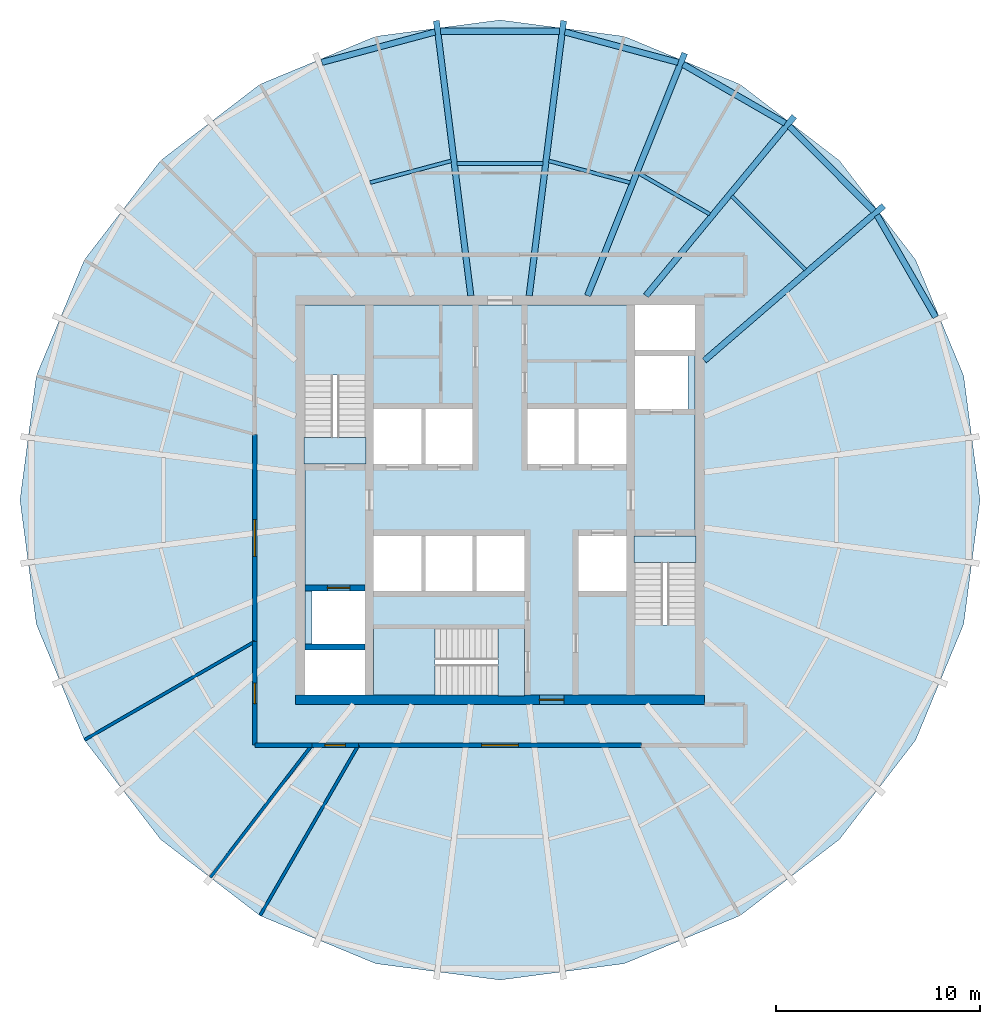
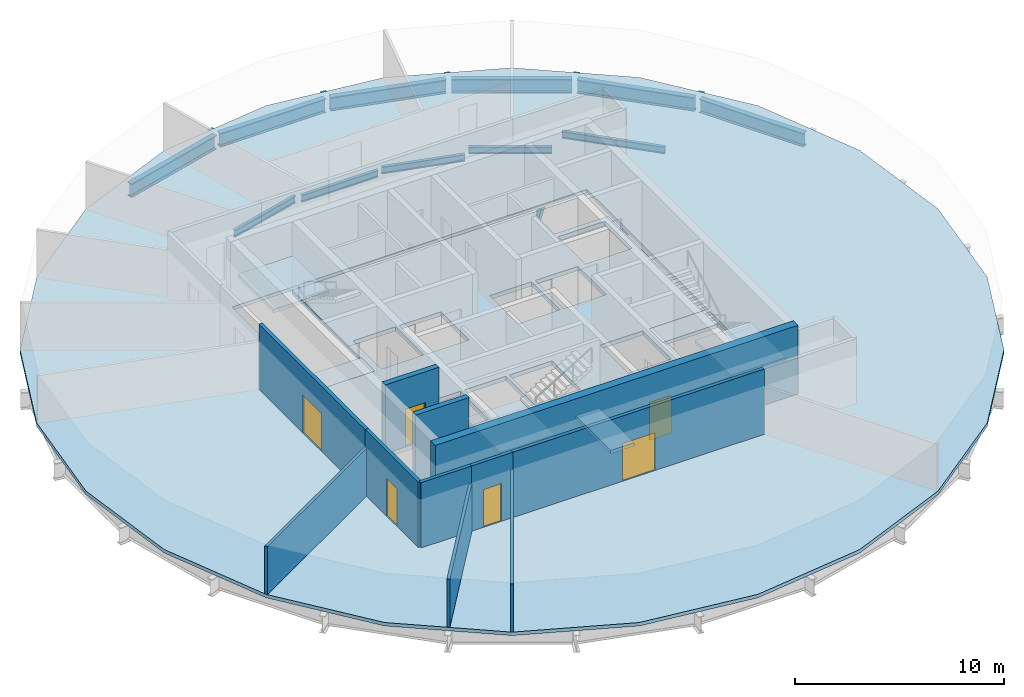
# One storey, part 2 of 5: 16 beams, 11 walls, 8 slabs, 6 doors, 6 openings, 3 elements without a shape of their own.
"""IFC4 building model written with IfcOpenShell, lengths in metres."""

from ifc_helpers import new_model, si_unit, direction, frame, frame_2d, origin, origin_2d, place, context, subcontext, project, spatial, polyline, rectangle, i_section, outline, extrude, material, layer, layer_set, material_profile, profile_set, type_object, element, fill, aggregate, save


model = new_model("IFC4")

# Units and contexts
model_context = context("Model", 3, precision=1e-05, world=origin(), true_north=direction((0.0, 1.0)))
body_context = subcontext(model_context, "Body", "Model", "MODEL_VIEW")
ifc_project = project(units=[si_unit("LENGTHUNIT", "METRE"), si_unit("AREAUNIT", "SQUARE_METRE"), si_unit("VOLUMEUNIT", "CUBIC_METRE"), si_unit("PLANEANGLEUNIT", "RADIAN"), si_unit("MASSUNIT", "GRAM", prefix="KILO")], contexts=[model_context])

# Site, building, storey
site_placement = place(None, origin())
site = spatial("IfcSite", under=ifc_project, at=site_placement, CompositionType="ELEMENT")
building_placement = place(site_placement, origin())
building = spatial("IfcBuilding", under=site, at=building_placement, Name="Golbaran Civic Tower", CompositionType="ELEMENT")
storey_placement = place(building_placement, frame((0.0, 0.0, 207.0)))
storey = spatial("IfcBuildingStorey", under=building, at=storey_placement, Name="L50", CompositionType="ELEMENT", Elevation=207.0)

# Beams
ifc_material_1 = material(Name="Steel S355", Category="steel")
ifc_material_profile_1 = material_profile(ifc_material_1, i_section(OverallWidth=0.300048828125, OverallDepth=0.800048828125, WebThickness=0.017578125, FlangeThickness=0.032958984375, FilletRadius=0.030029296875, at=origin_2d()), Name="HEB 800")
ifc_profile_set_1 = profile_set([ifc_material_profile_1], Name="Steel S355")
beam_type_1 = type_object("IfcBeamType", Name="EDGE BEAM HEB 800", PredefinedType="BEAM", material=ifc_profile_set_1)
beam_1_placement = place(storey_placement, frame((21.317626953125, 8.94580078125, -0.60009765625), z_axis=(-0.498780145808, 0.866728542363, 0.0), x_axis=(-0.866728542363, -0.498780145808, 0.0)))
element("IfcBeam", 1, at=beam_1_placement, inside=storey, type_object=beam_type_1, Name="Edge beam 22.45 L50", PredefinedType="BEAM", context=body_context, shape_type="SweptSolid", body=[
    extrude(i_section(OverallWidth=0.300048828125, OverallDepth=0.800048828125, WebThickness=0.017578125, FlangeThickness=0.032958984375, FilletRadius=0.030029296875, at=origin_2d()), origin(), (0.0, 0.0, 1.0), 5.7587890625),
])
beam_2_placement = place(storey_placement, frame((18.287109375, 14.143798828125, -0.60009765625), z_axis=(-0.706772115547, 0.707441288507, 0.0), x_axis=(-0.707441288507, -0.706772115547, 0.0)))
element("IfcBeam", 2, at=beam_2_placement, inside=storey, type_object=beam_type_1, Name="Edge beam 37.55 L50", PredefinedType="BEAM", context=body_context, shape_type="SweptSolid", body=[
    extrude(i_section(OverallWidth=0.300048828125, OverallDepth=0.800048828125, WebThickness=0.017578125, FlangeThickness=0.032958984375, FilletRadius=0.030029296875, at=origin_2d()), origin(), (0.0, 0.0, 1.0), 5.83740234375),
])
beam_3_placement = place(storey_placement, frame((13.954833984375, 18.431884765625, -0.60009765625), z_axis=(-0.866332159636, 0.499468306482, 0.0), x_axis=(-0.499468306482, -0.866332159636, 0.0)))
element("IfcBeam", 3, at=beam_3_placement, inside=storey, type_object=beam_type_1, Name="Edge beam 52.45 L50", PredefinedType="BEAM", context=body_context, shape_type="SweptSolid", body=[
    extrude(i_section(OverallWidth=0.300048828125, OverallDepth=0.800048828125, WebThickness=0.017578125, FlangeThickness=0.032958984375, FilletRadius=0.030029296875, at=origin_2d()), origin(), (0.0, 0.0, 1.0), 5.766357421875),
])
beam_4_placement = place(storey_placement, frame((8.718994140625, 21.41162109375, -0.60009765625), z_axis=(-0.965815835324, 0.259229188629, 0.0), x_axis=(-0.259229188629, -0.965815835324, 0.0)))
element("IfcBeam", 4, at=beam_4_placement, inside=storey, type_object=beam_type_1, Name="Edge beam 67.55 L50", PredefinedType="BEAM", context=body_context, shape_type="SweptSolid", body=[
    extrude(i_section(OverallWidth=0.300048828125, OverallDepth=0.800048828125, WebThickness=0.017578125, FlangeThickness=0.032958984375, FilletRadius=0.030029296875, at=origin_2d()), origin(), (0.0, 0.0, 1.0), 5.7412109375),
])
beam_5_placement = place(storey_placement, frame((2.91650390625, 22.933837890625, -0.60009765625), z_axis=(-1.0, 0.0, 0.0), x_axis=(0.0, -1.0, 0.0)))
element("IfcBeam", 5, at=beam_5_placement, inside=storey, type_object=beam_type_1, Name="Edge beam 82.45 L50", PredefinedType="BEAM", context=body_context, shape_type="SweptSolid", body=[
    extrude(i_section(OverallWidth=0.300048828125, OverallDepth=0.800048828125, WebThickness=0.017578125, FlangeThickness=0.032958984375, FilletRadius=0.030029296875, at=origin_2d()), origin(), (0.0, 0.0, 1.0), 5.8330078125),
])
beam_6_placement = place(storey_placement, frame((-3.174072265625, 22.89990234375, -0.60009765625), z_axis=(-0.965815835324, -0.259229188629, 0.0), x_axis=(0.259229188629, -0.965815835324, 0.0)))
element("IfcBeam", 6, at=beam_6_placement, inside=storey, type_object=beam_type_1, Name="Edge beam 97.55 L50", PredefinedType="BEAM", context=body_context, shape_type="SweptSolid", body=[
    extrude(i_section(OverallWidth=0.300048828125, OverallDepth=0.800048828125, WebThickness=0.017578125, FlangeThickness=0.032958984375, FilletRadius=0.030029296875, at=origin_2d()), origin(), (0.0, 0.0, 1.0), 5.7412109375),
])
ifc_material_profile_2 = material_profile(ifc_material_1, i_section(OverallWidth=0.179931640625, OverallDepth=0.39990234375, WebThickness=0.008544921875, FlangeThickness=0.013427734375, FilletRadius=0.02099609375, at=origin_2d()), Name="IPE 400")
ifc_profile_set_2 = profile_set([ifc_material_profile_2], Name="Steel S355")
beam_type_2 = type_object("IfcBeamType", Name="FLOOR INFILL BEAM IPE 400", PredefinedType="BEAM", material=ifc_profile_set_2)
beam_7_placement = place(storey_placement, frame((14.951171875, 11.265380859375, -0.39990234375), z_axis=(-0.707106781187, 0.707106781187, 0.0), x_axis=(-0.707106781187, -0.707106781187, 0.0)))
element("IfcBeam", 7, at=beam_7_placement, inside=storey, type_object=beam_type_2, Name="Infill beam 45.00 L50", PredefinedType="BEAM", context=body_context, shape_type="SweptSolid", body=[
    extrude(i_section(OverallWidth=0.179931640625, OverallDepth=0.39990234375, WebThickness=0.008544921875, FlangeThickness=0.013427734375, FilletRadius=0.02099609375, at=origin_2d()), origin(), (0.0, 0.0, 1.0), 5.099853515625),
])
beam_8_placement = place(storey_placement, frame((10.269775390625, 13.980712890625, -0.39990234375), z_axis=(-0.86602842894, 0.499994760241, 0.0), x_axis=(-0.499994760241, -0.86602842894, 0.0)))
element("IfcBeam", 8, at=beam_8_placement, inside=storey, type_object=beam_type_2, Name="Infill beam 60.00 L50", PredefinedType="BEAM", context=body_context, shape_type="SweptSolid", body=[
    extrude(i_section(OverallWidth=0.179931640625, OverallDepth=0.39990234375, WebThickness=0.008544921875, FlangeThickness=0.013427734375, FilletRadius=0.02099609375, at=origin_2d()), origin(), (0.0, 0.0, 1.0), 3.98388671875),
])
beam_9_placement = place(storey_placement, frame((6.361572265625, 15.529052734375, -0.39990234375), z_axis=(-0.965931110693, 0.258799322634, 0.0), x_axis=(-0.258799322634, -0.965931110693, 0.0)))
element("IfcBeam", 9, at=beam_9_placement, inside=storey, type_object=beam_type_2, Name="Infill beam 75.00 L50", PredefinedType="BEAM", context=body_context, shape_type="SweptSolid", body=[
    extrude(i_section(OverallWidth=0.179931640625, OverallDepth=0.39990234375, WebThickness=0.008544921875, FlangeThickness=0.013427734375, FilletRadius=0.02099609375, at=origin_2d()), origin(), (0.0, 0.0, 1.0), 4.11669921875),
])
beam_10_placement = place(storey_placement, frame((2.10693359375, 16.466796875, -0.39990234375), z_axis=(-1.0, 0.0, 0.0), x_axis=(0.0, -1.0, 0.0)))
element("IfcBeam", 10, at=beam_10_placement, inside=storey, type_object=beam_type_2, Name="Infill beam 90.00 L50", PredefinedType="BEAM", context=body_context, shape_type="SweptSolid", body=[
    extrude(i_section(OverallWidth=0.179931640625, OverallDepth=0.39990234375, WebThickness=0.008544921875, FlangeThickness=0.013427734375, FilletRadius=0.02099609375, at=origin_2d()), origin(), (0.0, 0.0, 1.0), 4.2138671875),
])
beam_11_placement = place(storey_placement, frame((-2.385009765625, 16.594482421875, -0.39990234375), z_axis=(-0.965931110693, -0.258799322634, 0.0), x_axis=(0.258799322634, -0.965931110693, 0.0)))
element("IfcBeam", 11, at=beam_11_placement, inside=storey, type_object=beam_type_2, Name="Infill beam 105.00 L50", PredefinedType="BEAM", context=body_context, shape_type="SweptSolid", body=[
    extrude(i_section(OverallWidth=0.179931640625, OverallDepth=0.39990234375, WebThickness=0.008544921875, FlangeThickness=0.013427734375, FilletRadius=0.02099609375, at=origin_2d()), origin(), (0.0, 0.0, 1.0), 4.11669921875),
])
ifc_material_profile_3 = material_profile(ifc_material_1, i_section(OverallWidth=0.300048828125, OverallDepth=1.0, WebThickness=0.01904296875, FlangeThickness=0.035888671875, FilletRadius=0.030029296875, at=origin_2d()), Name="HEB 1000")
ifc_profile_set_3 = profile_set([ifc_material_profile_3], Name="Steel S355")
beam_type_3 = type_object("IfcBeamType", Name="RADIAL FLOOR BEAM HEB 1000", PredefinedType="BEAM", material=ifc_profile_set_3)
beam_12_placement = place(storey_placement, frame((10.0, 6.821533203125, -0.7099609375), z_axis=(0.757108101496, 0.653289616211, 0.0), x_axis=(-0.653289616211, 0.757108101496, 0.0)))
element("IfcBeam", 12, at=beam_12_placement, inside=storey, type_object=beam_type_3, Name="Radial beam 37.55 L50", PredefinedType="BEAM", context=body_context, shape_type="SweptSolid", body=[
    extrude(i_section(OverallWidth=0.300048828125, OverallDepth=1.0, WebThickness=0.01904296875, FlangeThickness=0.035888671875, FilletRadius=0.030029296875, at=origin_2d()), origin(), (0.0, 0.0, 1.0), 11.588623046875),
])
beam_13_placement = place(storey_placement, frame((7.142822265625, 10.0, -0.7099609375), z_axis=(0.637716950888, 0.770270790404, 0.0), x_axis=(-0.770270790404, 0.637716950888, 0.0)))
element("IfcBeam", 13, at=beam_13_placement, inside=storey, type_object=beam_type_3, Name="Radial beam 52.45 L50", PredefinedType="BEAM", context=body_context, shape_type="SweptSolid", body=[
    extrude(i_section(OverallWidth=0.300048828125, OverallDepth=1.0, WebThickness=0.01904296875, FlangeThickness=0.035888671875, FilletRadius=0.030029296875, at=origin_2d()), origin(), (0.0, 0.0, 1.0), 11.382568359375),
])
beam_14_placement = place(storey_placement, frame((4.28564453125, 10.0, -0.7099609375), z_axis=(0.372009854763, 0.928228779967, 0.0), x_axis=(-0.928228779967, 0.372009854763, 0.0)))
element("IfcBeam", 14, at=beam_14_placement, inside=storey, type_object=beam_type_3, Name="Radial beam 67.55 L50", PredefinedType="BEAM", context=body_context, shape_type="SweptSolid", body=[
    extrude(i_section(OverallWidth=0.300048828125, OverallDepth=1.0, WebThickness=0.01904296875, FlangeThickness=0.035888671875, FilletRadius=0.030029296875, at=origin_2d()), origin(), (0.0, 0.0, 1.0), 12.779052734375),
])
for number, where, z_axis, x_axis, name in (
    (15, (1.428466796875, 10.0, -0.7099609375), (0.124205398988, 0.992256528758, 0.0), (-0.992256528758, 0.124205398988, 0.0), "Radial beam 82.45 L50"),
    (16, (-1.428466796875, 10.0, -0.7099609375), (-0.124205398988, 0.992256528758, 0.0), (-0.992256528758, -0.124205398988, 0.0), "Radial beam 97.55 L50"),
):
    element("IfcBeam", number, at=place(storey_placement, frame(where, z_axis=z_axis, x_axis=x_axis)), inside=storey, type_object=beam_type_3, Name=name, PredefinedType="BEAM", context=body_context, shape_type="SweptSolid", body=[
        extrude(i_section(OverallWidth=0.300048828125, OverallDepth=1.0, WebThickness=0.01904296875, FlangeThickness=0.035888671875, FilletRadius=0.030029296875, at=origin_2d()), origin(), (0.0, 0.0, 1.0), 13.556884765625),
    ])

# Slabs
ifc_material_2 = material(Name="Concrete LC30/33 lightweight on steel deck", Category="concrete")
ifc_layer_1 = layer(ifc_material_2, 0.199951171875, Name="Concrete LC30/33 lightweight on steel deck")
ifc_layer_set_1 = layer_set([ifc_layer_1], Name="Concrete LC30/33 lightweight on steel deck")
slab_type_1 = type_object("IfcSlabType", Name="COMPOSITE FLOOR SLAB 200", PredefinedType="FLOOR", material=ifc_layer_set_1)
slab_1_placement = place(storey_placement, frame((0.0, 0.0, -0.199951171875)))
element("IfcSlab", 17, at=slab_1_placement, inside=storey, type_object=slab_type_1, Name="Floor slab L50", PredefinedType="FLOOR", context=body_context, shape_type="SweptSolid", body=[
    extrude(outline(polyline([(20.33984375, -11.7431640625), (16.607421875, -16.607421875), (11.7431640625, -20.33984375), (6.07861328125, -22.68603515625), (0.0, -23.486328125), (-6.07861328125, -22.68603515625), (-11.7431640625, -20.33984375), (-16.607421875, -16.607421875), (-20.33984375, -11.7431640625), (-22.68603515625, -6.07861328125), (-23.486328125, 0.0), (-22.68603515625, 6.07861328125), (-20.33984375, 11.7431640625), (-16.607421875, 16.607421875), (-11.7431640625, 20.33984375), (-6.07861328125, 22.68603515625), (0.0, 23.486328125), (6.07861328125, 22.68603515625), (11.7431640625, 20.33984375), (16.607421875, 16.607421875), (20.33984375, 11.7431640625), (22.68603515625, 6.07861328125), (23.486328125, 0.0), (22.68603515625, -6.07861328125), (20.33984375, -11.7431640625)]), holes=[polyline([(-9.77490234375, 9.77490234375), (-9.77490234375, -9.77490234375), (9.77490234375, -9.77490234375), (9.77490234375, 9.77490234375), (-9.77490234375, 9.77490234375)])]), origin(), (0.0, 0.0, 1.0), 0.199951171875),
])
ifc_material_3 = material(Name="Concrete C35/45", Category="concrete")
ifc_layer_2 = layer(ifc_material_3, 0.25, Name="Concrete C35/45")
ifc_layer_set_2 = layer_set([ifc_layer_2], Name="Concrete C35/45")
slab_type_2 = type_object("IfcSlabType", Name="CORE FLOOR SLAB 250", PredefinedType="FLOOR", material=ifc_layer_set_2)
slab_2_placement = place(storey_placement, frame((0.0, 0.0, -0.25)))
element("IfcSlab", 18, at=slab_2_placement, inside=storey, type_object=slab_type_2, Name="Core floor slab L50", PredefinedType="FLOOR", context=body_context, shape_type="SweptSolid", body=[
    extrude(outline(polyline([(6.60009765625, -1.75), (6.60009765625, -9.550048828125), (1.199951171875, -9.550048828125), (1.199951171875, -6.300048828125), (-6.199951171875, -6.300048828125), (-6.199951171875, -9.550048828125), (-6.60009765625, -9.550048828125), (-6.60009765625, -7.35009765625), (-9.550048828125, -7.35009765625), (-9.550048828125, 1.75), (-6.60009765625, 1.75), (-6.60009765625, 9.550048828125), (6.60009765625, 9.550048828125), (6.60009765625, 7.35009765625), (9.550048828125, 7.35009765625), (9.550048828125, -1.75), (6.60009765625, -1.75)]), holes=[polyline([(9.199951171875, 7.050048828125), (6.60009765625, 7.050048828125), (6.60009765625, 4.449951171875), (9.199951171875, 4.449951171875), (9.199951171875, 7.050048828125)]), polyline([(6.199951171875, -1.75), (3.85009765625, -1.75), (3.85009765625, -4.449951171875), (6.199951171875, -4.449951171875), (6.199951171875, -1.75)]), polyline([(6.199951171875, 4.449951171875), (3.85009765625, 4.449951171875), (3.85009765625, 1.75), (6.199951171875, 1.75), (6.199951171875, 4.449951171875)]), polyline([(3.64990234375, 4.449951171875), (1.35009765625, 4.449951171875), (1.35009765625, 1.75), (3.64990234375, 1.75), (3.64990234375, 4.449951171875)]), polyline([(1.199951171875, -1.75), (-1.14990234375, -1.75), (-1.14990234375, -4.449951171875), (1.199951171875, -4.449951171875), (1.199951171875, -1.75)]), polyline([(-1.35009765625, 4.449951171875), (-3.64990234375, 4.449951171875), (-3.64990234375, 1.75), (-1.35009765625, 1.75), (-1.35009765625, 4.449951171875)]), polyline([(-1.35009765625, -1.75), (-3.64990234375, -1.75), (-3.64990234375, -4.449951171875), (-1.35009765625, -4.449951171875), (-1.35009765625, -1.75)]), polyline([(-3.85009765625, -1.75), (-6.199951171875, -1.75), (-6.199951171875, -4.449951171875), (-3.85009765625, -4.449951171875), (-3.85009765625, -1.75)]), polyline([(-3.85009765625, 4.449951171875), (-6.199951171875, 4.449951171875), (-6.199951171875, 1.75), (-3.85009765625, 1.75), (-3.85009765625, 4.449951171875)]), polyline([(-6.60009765625, -4.449951171875), (-9.199951171875, -4.449951171875), (-9.199951171875, -7.050048828125), (-6.60009765625, -7.050048828125), (-6.60009765625, -4.449951171875)])]), origin(), (0.0, 0.0, 1.0), 0.25),
])

# Stair, slab
stair_type_1 = type_object("IfcStairType", Name="EXIT STAIR 2950 x 7800, 4000 RISE", PredefinedType="HALF_TURN_STAIR", material=ifc_material_3)
stair_1_placement = place(storey_placement, origin())
stair_1 = element("IfcStair", 19, at=stair_1_placement, inside=storey, type_object=stair_type_1, Name="Stair S1 L50", PredefinedType="HALF_TURN_STAIR")
ifc_layer_3 = layer(ifc_material_3, 0.199951171875, Name="Concrete C35/45")
ifc_layer_set_3 = layer_set([ifc_layer_3], Name="Concrete C35/45")
slab_type_3 = type_object("IfcSlabType", Name="STAIR LANDING 200", PredefinedType="LANDING", material=ifc_layer_set_3)
slab_3_placement = place(storey_placement, frame((0.0, 0.0, 1.800048828125)))
slab_3 = element("IfcSlab", 20, at=slab_3_placement, type_object=slab_type_3, Name="ST29578-40 landing 1", PredefinedType="LANDING", context=body_context, shape_type="SweptSolid", body=[
    extrude(outline(polyline([(-9.60009765625, 6.125), (-9.60009765625, 9.550048828125), (-6.550048828125, 9.550048828125), (-6.550048828125, 6.125), (-9.60009765625, 6.125)])), origin(), (0.0, 0.0, 1.0), 0.199951171875),
])
aggregate(stair_1, [slab_3])

# Slab
slab_4_placement = place(storey_placement, frame((0.0, 0.0, -0.199951171875)))
element("IfcSlab", 21, at=slab_4_placement, inside=storey, type_object=slab_type_3, Name="Stair S1 floor landing L50", PredefinedType="LANDING", context=body_context, shape_type="SweptSolid", body=[
    extrude(outline(polyline([(-9.60009765625, 1.75), (-9.60009765625, 3.054931640625), (-6.550048828125, 3.054931640625), (-6.550048828125, 1.75), (-9.60009765625, 1.75)])), origin(), (0.0, 0.0, 1.0), 0.199951171875),
])

# Stair, slab
stair_2_placement = place(storey_placement, origin())
stair_2 = element("IfcStair", 22, at=stair_2_placement, inside=storey, type_object=stair_type_1, Name="Stair S2 L50", PredefinedType="HALF_TURN_STAIR")
slab_5_placement = place(storey_placement, frame((0.0, 0.0, 1.800048828125)))
slab_5 = element("IfcSlab", 23, at=slab_5_placement, type_object=slab_type_3, Name="ST29578-40 landing 1", PredefinedType="LANDING", context=body_context, shape_type="SweptSolid", body=[
    extrude(outline(polyline([(9.60009765625, -6.125), (9.60009765625, -9.550048828125), (6.550048828125, -9.550048828125), (6.550048828125, -6.125), (9.60009765625, -6.125)])), origin(), (0.0, 0.0, 1.0), 0.199951171875),
])
aggregate(stair_2, [slab_5])

# Slab
slab_6_placement = place(storey_placement, frame((0.0, 0.0, -0.199951171875)))
element("IfcSlab", 24, at=slab_6_placement, inside=storey, type_object=slab_type_3, Name="Stair S2 floor landing L50", PredefinedType="LANDING", context=body_context, shape_type="SweptSolid", body=[
    extrude(outline(polyline([(9.60009765625, -1.75), (9.60009765625, -3.054931640625), (6.550048828125, -3.054931640625), (6.550048828125, -1.75), (9.60009765625, -1.75)])), origin(), (0.0, 0.0, 1.0), 0.199951171875),
])

# Stair, slab
stair_type_2 = type_object("IfcStairType", Name="EXIT STAIR 3250 x 7400, 4000 RISE", PredefinedType="HALF_TURN_STAIR", material=ifc_material_3)
stair_3_placement = place(storey_placement, origin())
stair_3 = element("IfcStair", 25, at=stair_3_placement, inside=storey, type_object=stair_type_2, Name="Stair S3 L50", PredefinedType="HALF_TURN_STAIR")
slab_7_placement = place(storey_placement, frame((0.0, 0.0, 1.800048828125)))
slab_7 = element("IfcSlab", 26, at=slab_7_placement, type_object=slab_type_3, Name="ST32574-40 landing 1", PredefinedType="LANDING", context=body_context, shape_type="SweptSolid", body=[
    extrude(outline(polyline([(-3.175048828125, -9.60009765625), (-6.199951171875, -9.60009765625), (-6.199951171875, -6.25), (-3.175048828125, -6.25), (-3.175048828125, -9.60009765625)])), origin(), (0.0, 0.0, 1.0), 0.199951171875),
])
aggregate(stair_3, [slab_7])

# Slab
slab_8_placement = place(storey_placement, frame((0.0, 0.0, -0.199951171875)))
element("IfcSlab", 27, at=slab_8_placement, inside=storey, type_object=slab_type_3, Name="Stair S3 floor landing L50", PredefinedType="LANDING", context=body_context, shape_type="SweptSolid", body=[
    extrude(outline(polyline([(1.199951171875, -9.60009765625), (-0.10498046875, -9.60009765625), (-0.10498046875, -6.25), (1.199951171875, -6.25), (1.199951171875, -9.60009765625)])), origin(), (0.0, 0.0, 1.0), 0.199951171875),
])

# Wall, opening, door
ifc_material_4 = material(Name="Concrete C50/60", Category="concrete")
ifc_layer_4 = layer(ifc_material_4, 0.449951171875, Name="Concrete C50/60")
ifc_layer_set_4 = layer_set([ifc_layer_4], Name="Concrete C50/60")
wall_type_1 = type_object("IfcWallType", Name="CORE WALL CONCRETE 450", PredefinedType="SOLIDWALL", material=ifc_layer_set_4)
wall_1_placement = place(storey_placement, frame((10.0, -9.77490234375, 0.0), z_axis=(0.0, 0.0, 1.0), x_axis=(-1.0, 0.0, 0.0)))
wall_1 = element("IfcWall", 28, at=wall_1_placement, inside=storey, type_object=wall_type_1, Name="Core wall CS L50", PredefinedType="SOLIDWALL", context=body_context, shape_type="SweptSolid", body=[
    extrude(rectangle(XDim=20.0, YDim=0.449951171875, at=frame_2d((10.0, 0.0))), origin(), (0.0, 0.0, 1.0), 4.0),
])
opening_1_placement = place(wall_1_placement, frame((6.875, 0.0, 0.0)))
opening_1 = element("IfcOpeningElement", 29, at=opening_1_placement, cuts=wall_1, Name="Opening L50.CS", PredefinedType="OPENING", context=body_context, shape_type="SweptSolid", body=[
    extrude(rectangle(XDim=1.199951171875, YDim=2.199951171875, at=frame_2d((0.60009765625, 1.10009765625))), frame((0.0, 0.23486328125, 0.0), z_axis=(0.0, -1.0, 0.0), x_axis=(1.0, 0.0, 0.0)), (0.0, 0.0, 1.0), 0.469970703125),
])
ifc_material_5 = material(Name="Timber door set in steel frame", Category="steel")
door_type_1 = type_object("IfcDoorType", Name="CORE DOOR 1200x2200", OperationType="DOUBLE_DOOR_SINGLE_SWING", PredefinedType="DOOR", material=ifc_material_5)
door_1_placement = place(opening_1_placement, origin())
door_1 = element("IfcDoor", 30, at=door_1_placement, inside=storey, type_object=door_type_1, Name="Core door south", OperationType="DOUBLE_DOOR_SINGLE_SWING", OverallHeight=2.199951171875, OverallWidth=1.199951171875, PredefinedType="DOOR", context=body_context, shape_type="SweptSolid", body=[
    extrude(rectangle(XDim=1.199951171875, YDim=2.199951171875, at=frame_2d((0.60009765625, 1.10009765625))), frame((0.0, 0.02490234375, 0.0), z_axis=(0.0, -1.0, 0.0), x_axis=(1.0, 0.0, 0.0)), (0.0, 0.0, 1.0), 0.050048828125),
])
fill(opening_1, door_1)

ifc_material_6 = material(Name="Gypsum board on steel studs, fire-rated", Category="steel")
ifc_layer_5 = layer(ifc_material_6, 0.199951171875, Name="Gypsum board on steel studs, fire-rated")
ifc_layer_set_5 = layer_set([ifc_layer_5], Name="Gypsum board on steel studs, fire-rated")
wall_type_2 = type_object("IfcWallType", Name="CORRIDOR WALL 200", PredefinedType="PARTITIONING", material=ifc_layer_set_5)
wall_2_placement = place(storey_placement, frame((-12.0, 3.21533203125, 0.0), z_axis=(0.0, 0.0, 1.0), x_axis=(0.0, -1.0, 0.0)))
wall_2 = element("IfcWall", 31, at=wall_2_placement, inside=storey, type_object=wall_type_2, Name="Corridor wall L50", PredefinedType="PARTITIONING", context=body_context, shape_type="SweptSolid", body=[
    extrude(rectangle(XDim=10.1435546875, YDim=0.199951171875, at=frame_2d((5.07177734375, 0.0))), origin(), (0.0, 0.0, 1.0), 3.800048828125),
])
opening_2_placement = place(wall_2_placement, frame((4.171875, 0.0, 0.0)))
opening_2 = element("IfcOpeningElement", 32, at=opening_2_placement, cuts=wall_2, Name="Opening L50.09", PredefinedType="OPENING", context=body_context, shape_type="SweptSolid", body=[
    extrude(rectangle(XDim=1.800048828125, YDim=2.199951171875, at=frame_2d((0.89990234375, 1.10009765625))), frame((0.0, 0.10986328125, 0.0), z_axis=(0.0, -1.0, 0.0), x_axis=(1.0, 0.0, 0.0)), (0.0, 0.0, 1.0), 0.219970703125),
])
door_type_2 = type_object("IfcDoorType", Name="OFFICE DOUBLE DOOR 1800x2200", OperationType="DOUBLE_DOOR_SINGLE_SWING", PredefinedType="DOOR", material=ifc_material_5)
door_2_placement = place(opening_2_placement, origin())
door_2 = element("IfcDoor", 33, at=door_2_placement, inside=storey, type_object=door_type_2, Name="GIS and Mapping Office door L50", OperationType="DOUBLE_DOOR_SINGLE_SWING", OverallHeight=2.199951171875, OverallWidth=1.800048828125, PredefinedType="DOOR", context=body_context, shape_type="SweptSolid", body=[
    extrude(rectangle(XDim=1.800048828125, YDim=2.199951171875, at=frame_2d((0.89990234375, 1.10009765625))), frame((0.0, 0.02490234375, 0.0), z_axis=(0.0, -1.0, 0.0), x_axis=(1.0, 0.0, 0.0)), (0.0, 0.0, 1.0), 0.050048828125),
])
fill(opening_2, door_2)

wall_3_placement = place(storey_placement, frame((-12.0, -6.92822265625, 0.0), z_axis=(0.0, 0.0, 1.0), x_axis=(0.0, -1.0, 0.0)))
wall_3 = element("IfcWall", 34, at=wall_3_placement, inside=storey, type_object=wall_type_2, Name="Corridor wall L50", PredefinedType="PARTITIONING", context=body_context, shape_type="SweptSolid", body=[
    extrude(rectangle(XDim=5.07177734375, YDim=0.199951171875, at=frame_2d((2.535888671875, 0.0))), origin(), (0.0, 0.0, 1.0), 3.800048828125),
])
opening_3_placement = place(wall_3_placement, frame((2.035888671875, 0.0, 0.0)))
opening_3 = element("IfcOpeningElement", 35, at=opening_3_placement, cuts=wall_3, Name="Opening L50.10", PredefinedType="OPENING", context=body_context, shape_type="SweptSolid", body=[
    extrude(rectangle(XDim=1.0, YDim=2.199951171875, at=frame_2d((0.5, 1.10009765625))), frame((0.0, 0.10986328125, 0.0), z_axis=(0.0, -1.0, 0.0), x_axis=(1.0, 0.0, 0.0)), (0.0, 0.0, 1.0), 0.219970703125),
])
door_type_3 = type_object("IfcDoorType", Name="OFFICE DOOR 1000x2200", OperationType="SINGLE_SWING_LEFT", PredefinedType="DOOR", material=ifc_material_5)
door_3_placement = place(opening_3_placement, origin())
door_3 = element("IfcDoor", 36, at=door_3_placement, inside=storey, type_object=door_type_3, Name="Meeting Room door L50", OperationType="SINGLE_SWING_RIGHT", OverallHeight=2.199951171875, OverallWidth=1.0, PredefinedType="DOOR", context=body_context, shape_type="SweptSolid", body=[
    extrude(rectangle(XDim=1.0, YDim=2.199951171875, at=frame_2d((0.5, 1.10009765625))), frame((0.0, 0.02490234375, 0.0), z_axis=(0.0, -1.0, 0.0), x_axis=(1.0, 0.0, 0.0)), (0.0, 0.0, 1.0), 0.050048828125),
])
fill(opening_3, door_3)

# Wall
wall_4_placement = place(storey_placement, frame((-12.0, -12.0, 0.0), z_axis=(0.0, 0.0, 1.0), x_axis=(1.0, 0.0, 0.0)))
element("IfcWall", 37, at=wall_4_placement, inside=storey, type_object=wall_type_2, Name="Corridor wall L50", PredefinedType="PARTITIONING", context=body_context, shape_type="SweptSolid", body=[
    extrude(rectangle(XDim=2.7919921875, YDim=0.199951171875, at=frame_2d((1.39599609375, 0.0))), origin(), (0.0, 0.0, 1.0), 3.800048828125),
])

# Wall, opening, door
wall_5_placement = place(storey_placement, frame((-9.2080078125, -12.0, 0.0), z_axis=(0.0, 0.0, 1.0), x_axis=(1.0, 0.0, 0.0)))
wall_5 = element("IfcWall", 38, at=wall_5_placement, inside=storey, type_object=wall_type_2, Name="Corridor wall L50", PredefinedType="PARTITIONING", context=body_context, shape_type="SweptSolid", body=[
    extrude(rectangle(XDim=2.27978515625, YDim=0.199951171875, at=frame_2d((1.139892578125, 0.0))), origin(), (0.0, 0.0, 1.0), 3.800048828125),
])
opening_4_placement = place(wall_5_placement, frame((0.639892578125, 0.0, 0.0)))
opening_4 = element("IfcOpeningElement", 39, at=opening_4_placement, cuts=wall_5, Name="Opening L50.11", PredefinedType="OPENING", context=body_context, shape_type="SweptSolid", body=[
    extrude(rectangle(XDim=1.0, YDim=2.199951171875, at=frame_2d((0.5, 1.10009765625))), frame((0.0, 0.10986328125, 0.0), z_axis=(0.0, -1.0, 0.0), x_axis=(1.0, 0.0, 0.0)), (0.0, 0.0, 1.0), 0.219970703125),
])
door_4_placement = place(opening_4_placement, origin())
door_4 = element("IfcDoor", 40, at=door_4_placement, inside=storey, type_object=door_type_3, Name="Print and Copy Room door L50", OperationType="SINGLE_SWING_LEFT", OverallHeight=2.199951171875, OverallWidth=1.0, PredefinedType="DOOR", context=body_context, shape_type="SweptSolid", body=[
    extrude(rectangle(XDim=1.0, YDim=2.199951171875, at=frame_2d((0.5, 1.10009765625))), frame((0.0, 0.02490234375, 0.0), z_axis=(0.0, -1.0, 0.0), x_axis=(1.0, 0.0, 0.0)), (0.0, 0.0, 1.0), 0.050048828125),
])
fill(opening_4, door_4)

wall_6_placement = place(storey_placement, frame((-6.92822265625, -12.0, 0.0), z_axis=(0.0, 0.0, 1.0), x_axis=(1.0, 0.0, 0.0)))
wall_6 = element("IfcWall", 41, at=wall_6_placement, inside=storey, type_object=wall_type_2, Name="Corridor wall L50", PredefinedType="PARTITIONING", context=body_context, shape_type="SweptSolid", body=[
    extrude(rectangle(XDim=13.8564453125, YDim=0.199951171875, at=frame_2d((6.92822265625, 0.0))), origin(), (0.0, 0.0, 1.0), 3.800048828125),
])
opening_5_placement = place(wall_6_placement, frame((6.0283203125, 0.0, 0.0)))
opening_5 = element("IfcOpeningElement", 42, at=opening_5_placement, cuts=wall_6, Name="Opening L50.12", PredefinedType="OPENING", context=body_context, shape_type="SweptSolid", body=[
    extrude(rectangle(XDim=1.800048828125, YDim=2.199951171875, at=frame_2d((0.89990234375, 1.10009765625))), frame((0.0, 0.10986328125, 0.0), z_axis=(0.0, -1.0, 0.0), x_axis=(1.0, 0.0, 0.0)), (0.0, 0.0, 1.0), 0.219970703125),
])
door_5_placement = place(opening_5_placement, origin())
door_5 = element("IfcDoor", 43, at=door_5_placement, inside=storey, type_object=door_type_2, Name="Project Room door L50", OperationType="DOUBLE_DOOR_SINGLE_SWING", OverallHeight=2.199951171875, OverallWidth=1.800048828125, PredefinedType="DOOR", context=body_context, shape_type="SweptSolid", body=[
    extrude(rectangle(XDim=1.800048828125, YDim=2.199951171875, at=frame_2d((0.89990234375, 1.10009765625))), frame((0.0, 0.02490234375, 0.0), z_axis=(0.0, -1.0, 0.0), x_axis=(1.0, 0.0, 0.0)), (0.0, 0.0, 1.0), 0.050048828125),
])
fill(opening_5, door_5)

# Walls
ifc_material_7 = material(Name="Gypsum board on steel studs", Category="steel")
ifc_layer_6 = layer(ifc_material_7, 0.14990234375, Name="Gypsum board on steel studs")
ifc_layer_set_6 = layer_set([ifc_layer_6], Name="Gypsum board on steel studs")
wall_type_3 = type_object("IfcWallType", Name="OFFICE PARTITION 150", PredefinedType="PARTITIONING", material=ifc_layer_set_6)
wall_7_placement = place(storey_placement, frame((-12.0, -6.92822265625, 0.0), z_axis=(0.0, 0.0, 1.0), x_axis=(-0.866030904871, -0.499990471717, 0.0)))
element("IfcWall", 44, at=wall_7_placement, inside=storey, type_object=wall_type_3, Name="Partition 210 L50", PredefinedType="PARTITIONING", context=body_context, shape_type="SweptSolid", body=[
    extrude(rectangle(XDim=9.619873046875, YDim=0.14990234375, at=frame_2d((4.81005859375, 0.0))), origin(), (0.0, 0.0, 1.0), 2.7900390625),
])
wall_8_placement = place(storey_placement, frame((-9.2080078125, -12.0, 0.0), z_axis=(0.0, 0.0, 1.0), x_axis=(-0.608759154628, -0.793355085479, 0.0)))
element("IfcWall", 45, at=wall_8_placement, inside=storey, type_object=wall_type_3, Name="Partition 232.5 L50", PredefinedType="PARTITIONING", context=body_context, shape_type="SweptSolid", body=[
    extrude(rectangle(XDim=8.149658203125, YDim=0.14990234375, at=frame_2d((4.07470703125, 0.0))), origin(), (0.0, 0.0, 1.0), 2.7900390625),
])
wall_9_placement = place(storey_placement, frame((-6.92822265625, -12.0, 0.0), z_axis=(0.0, 0.0, 1.0), x_axis=(-0.499990471717, -0.866030904871, 0.0)))
element("IfcWall", 46, at=wall_9_placement, inside=storey, type_object=wall_type_3, Name="Partition 240 L50", PredefinedType="PARTITIONING", context=body_context, shape_type="SweptSolid", body=[
    extrude(rectangle(XDim=9.619873046875, YDim=0.14990234375, at=frame_2d((4.81005859375, 0.0))), origin(), (0.0, 0.0, 1.0), 2.7900390625),
])

# Wall, opening, door
ifc_layer_7 = layer(ifc_material_4, 0.300048828125, Name="Concrete C50/60")
ifc_layer_set_7 = layer_set([ifc_layer_7], Name="Concrete C50/60")
wall_type_4 = type_object("IfcWallType", Name="SHAFT WALL CONCRETE 300", PredefinedType="SOLIDWALL", material=ifc_layer_set_7)
wall_10_placement = place(storey_placement, frame((-9.550048828125, -4.300048828125, 0.0), z_axis=(0.0, 0.0, 1.0), x_axis=(1.0, 0.0, 0.0)))
wall_10 = element("IfcWall", 47, at=wall_10_placement, inside=storey, type_object=wall_type_4, Name="Core wall XW2 L50", PredefinedType="SOLIDWALL", context=body_context, shape_type="SweptSolid", body=[
    extrude(rectangle(XDim=2.949951171875, YDim=0.300048828125, at=frame_2d((1.47509765625, 0.0))), origin(), (0.0, 0.0, 1.0), 4.0),
])
opening_6_placement = place(wall_10_placement, frame((1.10009765625, 0.0, 0.0)))
opening_6 = element("IfcOpeningElement", 48, at=opening_6_placement, cuts=wall_10, Name="Opening L50.LD-F1", PredefinedType="OPENING", context=body_context, shape_type="SweptSolid", body=[
    extrude(rectangle(XDim=1.10009765625, YDim=2.199951171875, at=frame_2d((0.550048828125, 1.10009765625))), frame((0.0, 0.159912109375, 0.0), z_axis=(0.0, -1.0, 0.0), x_axis=(1.0, 0.0, 0.0)), (0.0, 0.0, 1.0), 0.320068359375),
])
ifc_material_8 = material(Name="Stainless steel", Category="steel")
door_type_4 = type_object("IfcDoorType", Name="LIFT LANDING DOOR 1100x2200", OperationType="SLIDING_TO_LEFT", PredefinedType="DOOR", material=ifc_material_8)
door_6_placement = place(opening_6_placement, origin())
door_6 = element("IfcDoor", 49, at=door_6_placement, inside=storey, type_object=door_type_4, Name="Lift landing door F1", OperationType="SLIDING_TO_LEFT", OverallHeight=2.199951171875, OverallWidth=1.10009765625, PredefinedType="DOOR", context=body_context, shape_type="SweptSolid", body=[
    extrude(rectangle(XDim=1.10009765625, YDim=2.199951171875, at=frame_2d((0.550048828125, 1.10009765625))), frame((0.0, 0.02490234375, 0.0), z_axis=(0.0, -1.0, 0.0), x_axis=(1.0, 0.0, 0.0)), (0.0, 0.0, 1.0), 0.050048828125),
])
fill(opening_6, door_6)

# Wall
wall_11_placement = place(storey_placement, frame((-9.550048828125, -7.199951171875, 0.0), z_axis=(0.0, 0.0, 1.0), x_axis=(1.0, 0.0, 0.0)))
element("IfcWall", 50, at=wall_11_placement, inside=storey, type_object=wall_type_4, Name="Core wall XW3 L50", PredefinedType="SOLIDWALL", context=body_context, shape_type="SweptSolid", body=[
    extrude(rectangle(XDim=2.949951171875, YDim=0.300048828125, at=frame_2d((1.47509765625, 0.0))), origin(), (0.0, 0.0, 1.0), 4.0),
])

save(model, "model.ifc")
